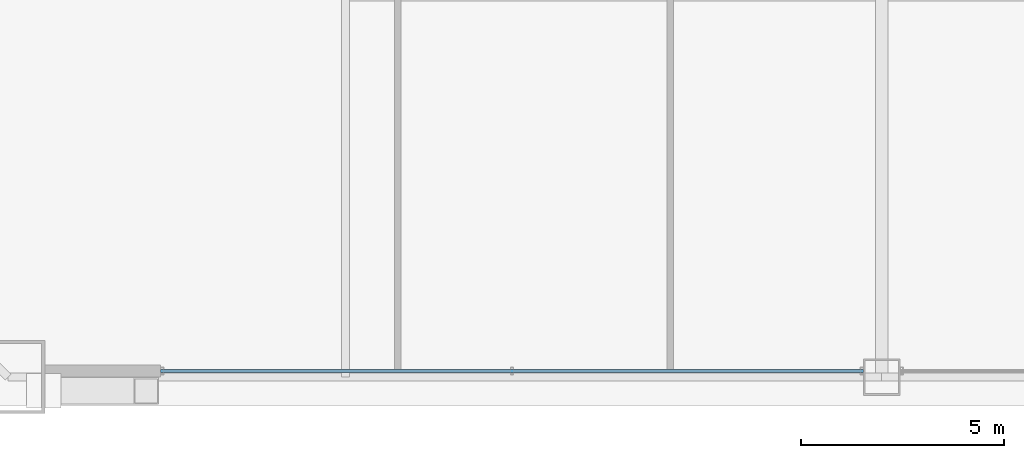
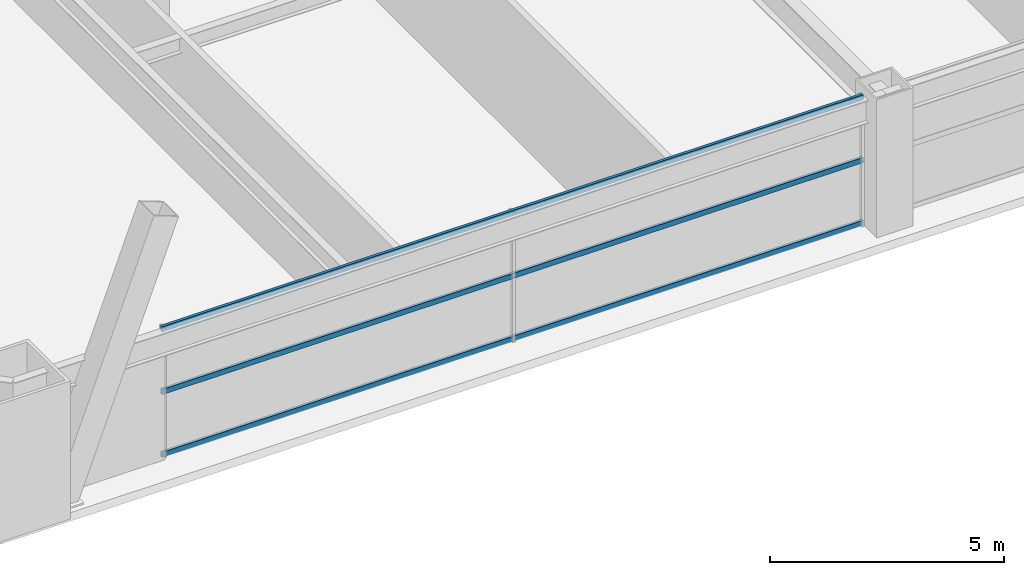
# One storey, part 6 of 43: 3 members, 1 element without a shape of its own.
"""IFC4 building model written with IfcOpenShell, lengths in metres."""

from ifc_helpers import new_model, si_unit, direction, frame, origin, origin_2d, place, context, subcontext, project, spatial, hollow_rectangle, extrude, source, transform, mapped, material, layer, layer_set, material_profile, profile_set, type_object, element, aggregate, save


model = new_model("IFC4")

# Units and contexts
model_context = context("Model", 3, precision=1e-05, world=origin(), true_north=direction((0.0, 1.0)))
body_context = subcontext(model_context, "Body", "Model", "MODEL_VIEW")
ifc_project = project(units=[si_unit("LENGTHUNIT", "METRE"), si_unit("AREAUNIT", "SQUARE_METRE"), si_unit("VOLUMEUNIT", "CUBIC_METRE"), si_unit("PLANEANGLEUNIT", "RADIAN"), si_unit("MASSUNIT", "GRAM", prefix="KILO"), si_unit("THERMODYNAMICTEMPERATUREUNIT", "KELVIN"), si_unit("POWERUNIT", "WATT")], contexts=[model_context])

# Site, building, storey
site_placement = place(None, origin())
site = spatial("IfcSite", under=ifc_project, at=site_placement, CompositionType="ELEMENT")
building_placement = place(site_placement, origin())
building = spatial("IfcBuilding", under=site, at=building_placement, Name="Yuzanri Waterfront Tower", CompositionType="ELEMENT")
storey_placement = place(building_placement, frame((0.0, 0.0, 46.0)))
storey = spatial("IfcBuildingStorey", under=building, at=storey_placement, Name="L11", CompositionType="ELEMENT", Elevation=46.0)

# Curtain wall, members
ifc_material_1 = material(Name="Anodized Architectural Bronze", Category="metal")
ifc_layer = layer(ifc_material_1, 0.159912109375)
ifc_layer_set = layer_set([ifc_layer], Name="Anodized Architectural Bronze")
curtain_wall_type = type_object("IfcCurtainWallType", Name="Anodized Bronze Hotel Lower-Tier Recessed Unitized Curtain Wall 8100", PredefinedType="NOTDEFINED", material=ifc_layer_set)
curtain_wall_placement = place(storey_placement, origin())
curtain_wall = element("IfcCurtainWall", 1, at=curtain_wall_placement, inside=storey, type_object=curtain_wall_type, Name="L11 Curtain Wall CW-L11-SL", PredefinedType="NOTDEFINED")
ifc_material_2 = material(Name="Anodized Architectural Bronze", Category="metal")
ifc_material_profile = material_profile(ifc_material_2, hollow_rectangle(XDim=0.070068359375, YDim=0.135009765625, WallThickness=0.00341796875, at=origin_2d()), Name="CWT 70x135")
ifc_profile_set = profile_set([ifc_material_profile], Name="Anodized Architectural Bronze")
member_type = type_object("IfcMemberType", Name="Anodized Bronze Standard Curtain-Wall Transom 70x135", PredefinedType="USERDEFINED", material=ifc_profile_set)
shared_shape = source(origin(), body_context, "Body", "SweptSolid", [
    extrude(hollow_rectangle(XDim=0.070068359375, YDim=0.135009765625, WallThickness=0.00341796875, at=origin_2d()), origin(), (0.0, 0.0, 1.0), 17.300048828125),
])
member_1_placement = place(storey_placement, frame((19.25, 0.85009765625, 0.050048828125), z_axis=(1.0, 0.0, 0.0), x_axis=(0.0, 1.0, 0.0)))
member_1 = element("IfcMember", 2, at=member_1_placement, type_object=member_type, Name="CW-L11-SL Transom 1", ObjectType="TRANSOM", PredefinedType="USERDEFINED", context=body_context, shape_type="MappedRepresentation", body=[
    mapped(shared_shape, transform((0.0, 0.0, 0.0), scale=1.0)),
])
member_2_placement = place(storey_placement, frame((19.25, 0.85009765625, 1.68994140625), z_axis=(1.0, 0.0, 0.0), x_axis=(0.0, 1.0, 0.0)))
member_2 = element("IfcMember", 3, at=member_2_placement, type_object=member_type, Name="CW-L11-SL Transom 2", ObjectType="TRANSOM", PredefinedType="USERDEFINED", context=body_context, shape_type="MappedRepresentation", body=[
    mapped(shared_shape, transform((0.0, 0.0, 0.0), scale=1.0)),
])
member_3_placement = place(storey_placement, frame((19.25, 0.85009765625, 3.330078125), z_axis=(1.0, 0.0, 0.0), x_axis=(0.0, 1.0, 0.0)))
member_3 = element("IfcMember", 4, at=member_3_placement, type_object=member_type, Name="CW-L11-SL Transom 3", ObjectType="TRANSOM", PredefinedType="USERDEFINED", context=body_context, shape_type="MappedRepresentation", body=[
    mapped(shared_shape, transform((0.0, 0.0, 0.0), scale=1.0)),
])
aggregate(curtain_wall, [member_1, member_2, member_3])

save(model, "model.ifc")
